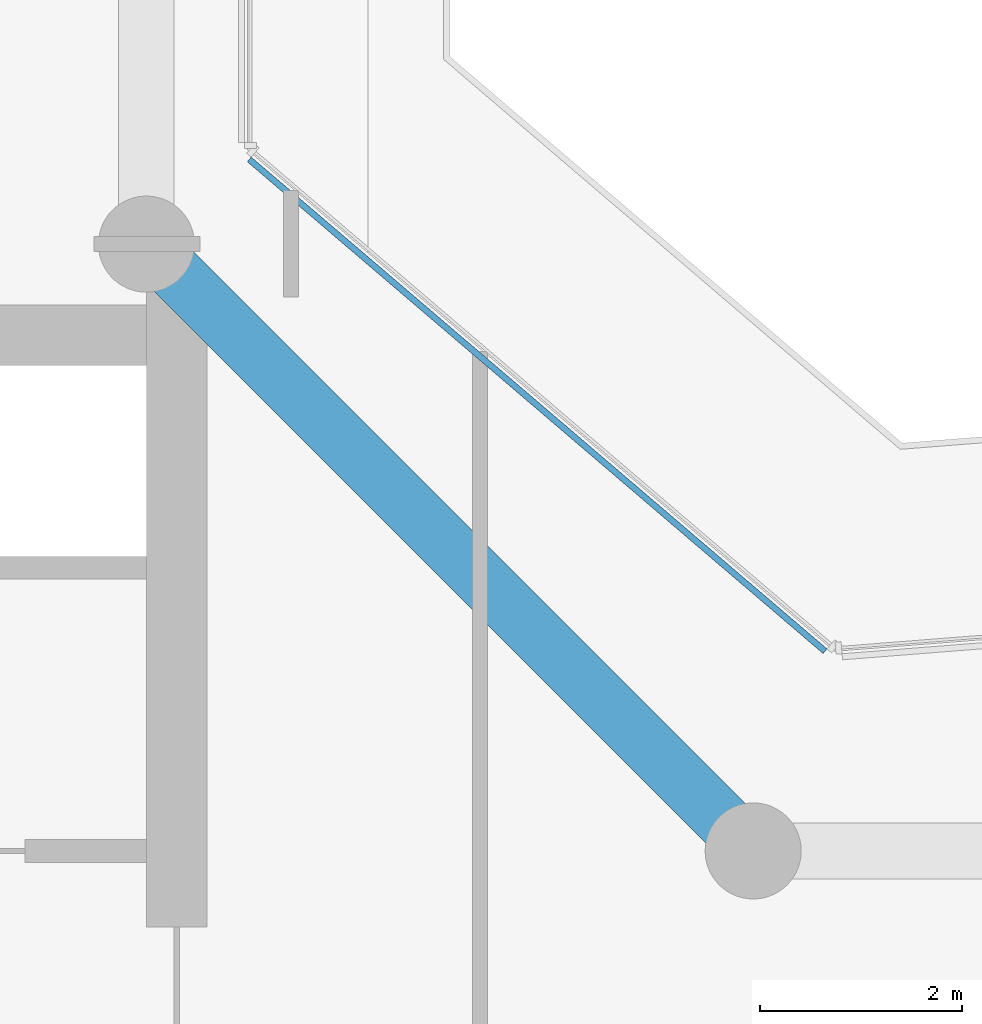
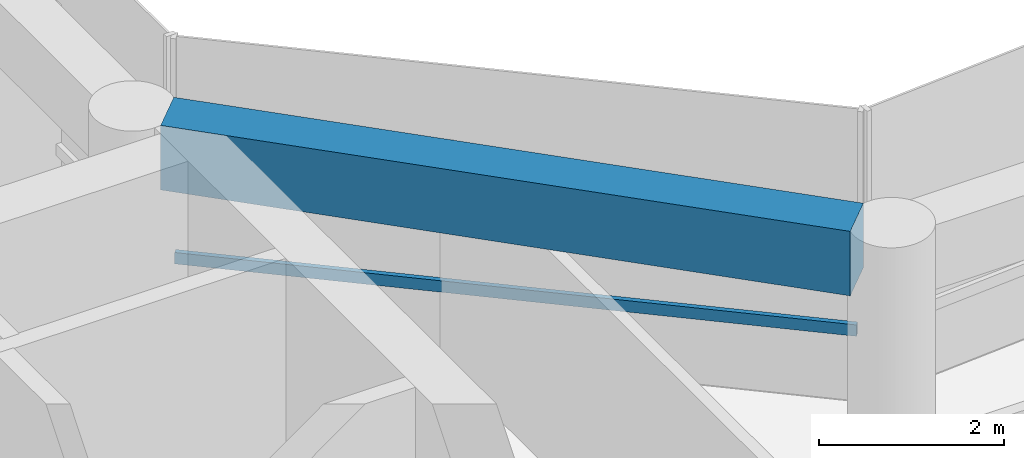
# One storey, part 6 of 23: 1 beam, 1 member, 1 element without a shape of its own.
"""IFC4 building model written with IfcOpenShell, lengths in metres."""

from ifc_helpers import new_model, si_unit, direction, frame, origin, origin_2d, place, context, subcontext, project, spatial, rectangle, extrude, material, layer, layer_set, material_profile, profile_set, type_object, element, aggregate, save


model = new_model("IFC4")

# Units and contexts
model_context = context("Model", 3, precision=1e-05, world=origin(), true_north=direction((0.0, 1.0)))
body_context = subcontext(model_context, "Body", "Model", "MODEL_VIEW")
ifc_project = project(units=[si_unit("LENGTHUNIT", "METRE"), si_unit("AREAUNIT", "SQUARE_METRE"), si_unit("VOLUMEUNIT", "CUBIC_METRE"), si_unit("PLANEANGLEUNIT", "RADIAN"), si_unit("MASSUNIT", "GRAM", prefix="KILO")], contexts=[model_context])

# Site, building, storey
site_placement = place(None, origin())
site = spatial("IfcSite", under=ifc_project, at=site_placement, CompositionType="ELEMENT")
building_placement = place(site_placement, origin())
building = spatial("IfcBuilding", under=site, at=building_placement, Name="Welwitschia Terrace Campus", CompositionType="ELEMENT")
storey_placement = place(building_placement, frame((0.0, 0.0, 188.60009765625)))
storey = spatial("IfcBuildingStorey", under=building, at=storey_placement, Name="L42", CompositionType="ELEMENT", Elevation=188.60009765625)

# Beam
ifc_material_1 = material(Name="Concrete C50/60", Category="concrete")
ifc_material_profile_1 = material_profile(ifc_material_1, rectangle(XDim=0.550048828125, YDim=0.85009765625, at=origin_2d()))
ifc_profile_set_1 = profile_set([ifc_material_profile_1], Name="Concrete C50/60")
beam_type = type_object("IfcBeamType", Name="Ring spandrel 550x850", PredefinedType="SPANDREL", material=ifc_profile_set_1)
beam_placement = place(storey_placement, frame((29.7255859375, 20.2744140625, 3.4248046875), z_axis=(-0.707106781187, 0.707106781187, 0.0), x_axis=(-0.707106781187, -0.707106781187, 0.0)))
element("IfcBeam", 1, at=beam_placement, inside=storey, type_object=beam_type, Name="Spandrel SP3", PredefinedType="SPANDREL", context=body_context, shape_type="SweptSolid", body=[
    extrude(rectangle(XDim=0.550048828125, YDim=0.85009765625, at=origin_2d()), origin(), (0.0, 0.0, 1.0), 7.709228515625),
])

# Curtain wall, member
ifc_material_2 = material(Name="Bronze anodised aluminium", Category="aluminium")
ifc_layer = layer(ifc_material_2, 0.1201171875)
ifc_layer_set = layer_set([ifc_layer], Name="Bronze anodised aluminium")
curtain_wall_type = type_object("IfcCurtainWallType", Name="Curtain wall CW2 tower 6000", PredefinedType="NOTDEFINED", material=ifc_layer_set)
curtain_wall_placement = place(storey_placement, origin())
curtain_wall = element("IfcCurtainWall", 2, at=curtain_wall_placement, inside=storey, type_object=curtain_wall_type, Name="CW L42.8.0", PredefinedType="NOTDEFINED")
ifc_material_3 = material(Name="Bronze anodised aluminium", Category="aluminium")
ifc_material_profile_2 = material_profile(ifc_material_3, rectangle(XDim=0.06005859375, YDim=0.14990234375, at=origin_2d()))
ifc_profile_set_2 = profile_set([ifc_material_profile_2], Name="Bronze anodised aluminium")
member_type = type_object("IfcMemberType", Name="Transom 60x150", PredefinedType="USERDEFINED", material=ifc_profile_set_2)
member_placement = place(storey_placement, frame((30.710205078125, 21.975341796875, 1.0), z_axis=(-0.760410917566, 0.649442250278, 0.0), x_axis=(-0.649442250278, -0.760410917566, 0.0)))
member = element("IfcMember", 3, at=member_placement, type_object=member_type, Name="Transom L42.8.0", ObjectType="TRANSOM", PredefinedType="USERDEFINED", context=body_context, shape_type="SweptSolid", body=[
    extrude(rectangle(XDim=0.06005859375, YDim=0.14990234375, at=origin_2d()), origin(), (0.0, 0.0, 1.0), 7.48681640625),
])
aggregate(curtain_wall, [member])

save(model, "model.ifc")
